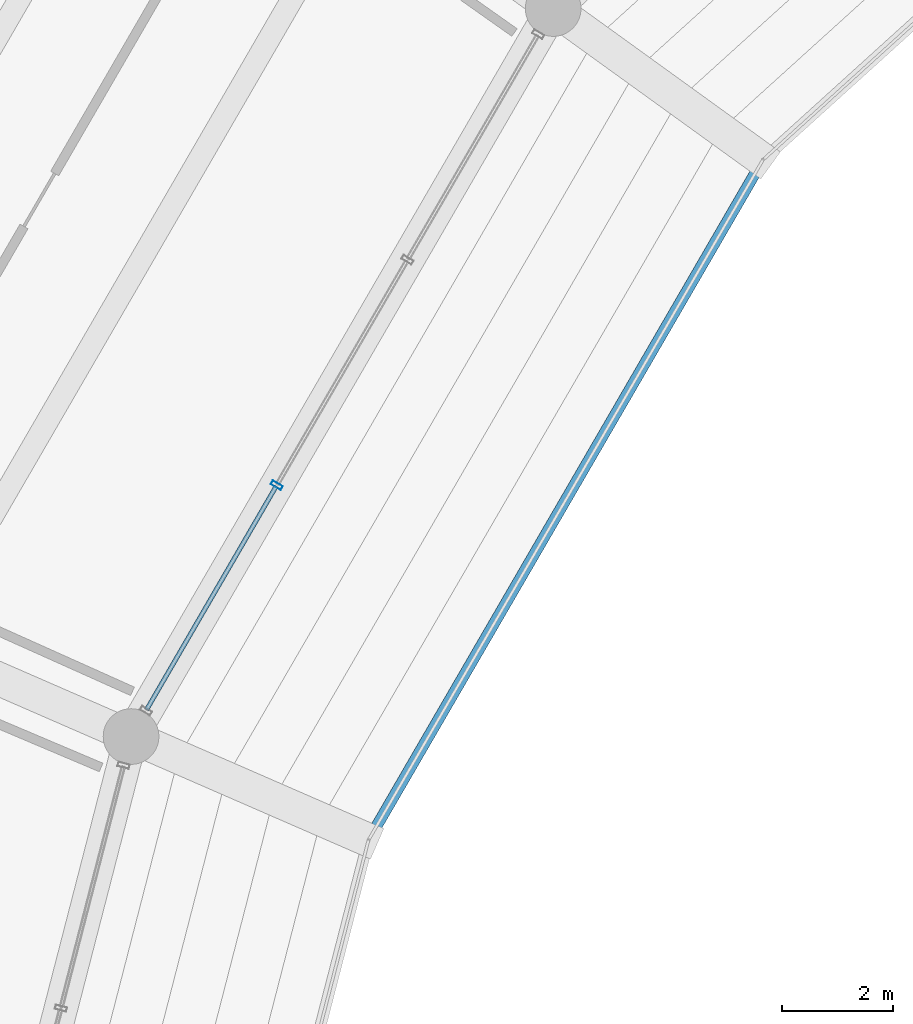
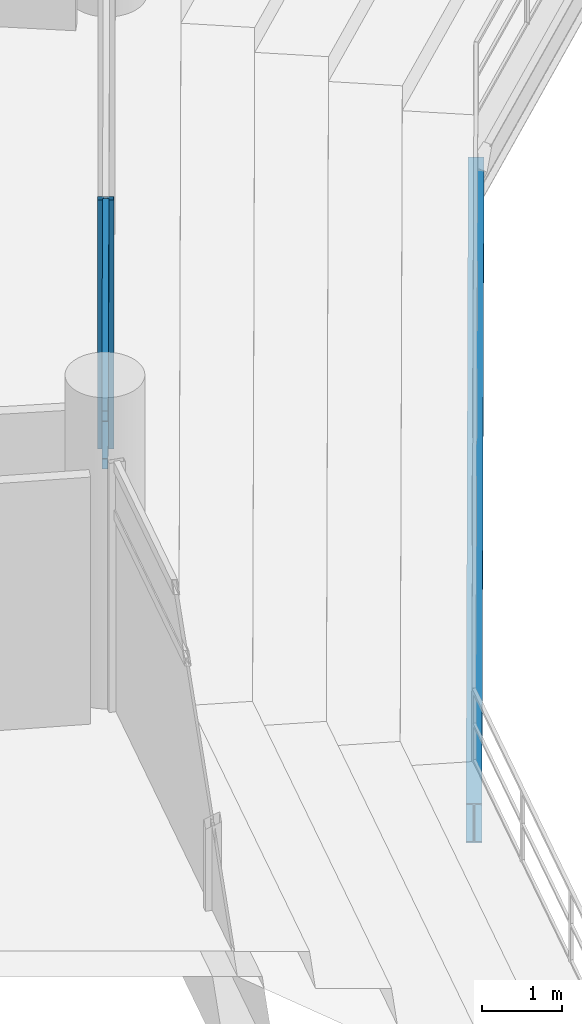
# One storey, part 46 of 171: 3 members, 1 beam, 1 element without a shape of its own.
"""IFC4 building model written with IfcOpenShell, lengths in metres."""

from ifc_helpers import new_model, si_unit, direction, frame, origin, origin_2d, place, context, subcontext, project, spatial, hollow_rectangle, i_section, extrude, material, layer, layer_set, material_profile, profile_set, type_object, element, aggregate, save


model = new_model("IFC4")

# Units and contexts
model_context = context("Model", 3, precision=1e-05, world=origin(), true_north=direction((0.0, 1.0)))
body_context = subcontext(model_context, "Body", "Model", "MODEL_VIEW")
ifc_project = project(units=[si_unit("LENGTHUNIT", "METRE"), si_unit("AREAUNIT", "SQUARE_METRE"), si_unit("VOLUMEUNIT", "CUBIC_METRE"), si_unit("PLANEANGLEUNIT", "RADIAN"), si_unit("MASSUNIT", "GRAM", prefix="KILO")], contexts=[model_context])

# Site, building, storey
site_placement = place(None, origin())
site = spatial("IfcSite", under=ifc_project, at=site_placement, CompositionType="ELEMENT")
building_placement = place(site_placement, origin())
building = spatial("IfcBuilding", under=site, at=building_placement, Name="Kazemori Nagisa Stadium", CompositionType="ELEMENT")
storey_placement = place(building_placement, frame((0.0, 0.0, 15.639892578125)))
storey = spatial("IfcBuildingStorey", under=building, at=storey_placement, Name="L03", CompositionType="ELEMENT", Elevation=15.639892578125)

# Beam
ifc_material_1 = material(Name="Steel SN490B", Category="steel")
ifc_material_profile_1 = material_profile(ifc_material_1, i_section(OverallWidth=0.199951171875, OverallDepth=0.60009765625, WebThickness=0.010986328125, FlangeThickness=0.01708984375, FilletRadius=0.012939453125, at=origin_2d()), Name="H-600x200x11x17")
ifc_profile_set_1 = profile_set([ifc_material_profile_1], Name="Steel SN490B")
beam_type = type_object("IfcBeamType", Name="Beam_BS-H600", PredefinedType="SPANDREL", material=ifc_profile_set_1)
beam_placement = place(storey_placement, frame((69.466064453125, 140.647216796875, -2.46484375), z_axis=(-0.501617986133, -0.865089241632, 0.0), x_axis=(0.865089241632, -0.501617986133, 0.0)))
element("IfcBeam", 1, at=beam_placement, inside=storey, type_object=beam_type, Name="Club tier front edge beam 12", PredefinedType="SPANDREL", context=body_context, shape_type="SweptSolid", body=[
    extrude(i_section(OverallWidth=0.199951171875, OverallDepth=0.60009765625, WebThickness=0.010986328125, FlangeThickness=0.01708984375, FilletRadius=0.012939453125, at=origin_2d()), origin(), (0.0, 0.0, 1.0), 14.125732421875),
])

# Curtain wall, members
ifc_material_2 = material(Name="Anodised aluminium 6063-T5", Category="aluminium")
ifc_layer = layer(ifc_material_2, 0.2099609375, Name="Anodised aluminium 6063-T5", Category="aluminium")
ifc_layer_set = layer_set([ifc_layer], Name="Anodised aluminium 6063-T5")
curtain_wall_type = type_object("IfcCurtainWallType", Name="CW_L03B_71", PredefinedType="USERDEFINED", material=ifc_layer_set)
curtain_wall_placement = place(storey_placement, origin())
curtain_wall = element("IfcCurtainWall", 2, at=curtain_wall_placement, inside=storey, type_object=curtain_wall_type, Name="Unitised curtain wall CW-L03B-71 L03", ObjectType="UNITISED CURTAIN WALL", PredefinedType="USERDEFINED")
ifc_material_3 = material(Name="Aluminium 6063-T5 anodised", Category="aluminium")
ifc_material_profile_2 = material_profile(ifc_material_3, hollow_rectangle(XDim=0.080078125, YDim=0.2099609375, WallThickness=0.0048828125, at=origin_2d()), Name="ALU-MULL-80x210x5")
ifc_profile_set_2 = profile_set([ifc_material_profile_2], Name="Aluminium 6063-T5 anodised")
member_type_1 = type_object("IfcMemberType", Name="Mullion_M02", PredefinedType="MULLION", material=ifc_profile_set_2)
member_1_placement = place(storey_placement, frame((60.731689453125, 134.801513671875, 0.0), z_axis=(0.0, 0.0, 1.0), x_axis=(-0.501611590054, -0.865092950337, 0.0)))
member_1 = element("IfcMember", 3, at=member_1_placement, type_object=member_type_1, Name="Curtain wall mullion CW-L03B-71-M3", PredefinedType="MULLION", context=body_context, shape_type="SweptSolid", body=[
    extrude(hollow_rectangle(XDim=0.080078125, YDim=0.2099609375, WallThickness=0.0048828125, at=origin_2d()), origin(), (0.0, 0.0, 1.0), 3.81005859375),
])
ifc_material_profile_3 = material_profile(ifc_material_3, hollow_rectangle(XDim=0.080078125, YDim=0.159912109375, WallThickness=0.00390625, at=origin_2d()), Name="ALU-TRAN-80x160x4")
ifc_profile_set_3 = profile_set([ifc_material_profile_3], Name="Aluminium 6063-T5 anodised")
member_type_2 = type_object("IfcMemberType", Name="Transom_T02", PredefinedType="USERDEFINED", material=ifc_profile_set_3)
member_2_placement = place(storey_placement, frame((60.721435546875, 134.7841796875, 3.010009765625), z_axis=(-0.501610282552, -0.865093708472, 0.0), x_axis=(0.865093708472, -0.501610282552, 0.0)))
member_2 = element("IfcMember", 4, at=member_2_placement, type_object=member_type_2, Name="Curtain wall transom CW-L03B-71-T3-mid", ObjectType="TRANSOM", PredefinedType="USERDEFINED", context=body_context, shape_type="SweptSolid", body=[
    extrude(hollow_rectangle(XDim=0.080078125, YDim=0.159912109375, WallThickness=0.00390625, at=origin_2d()), origin(), (0.0, 0.0, 1.0), 4.643310546875),
])
member_3_placement = place(storey_placement, frame((60.721435546875, 134.7841796875, 3.739990234375), z_axis=(-0.501610282552, -0.865093708472, 0.0), x_axis=(0.865093708472, -0.501610282552, 0.0)))
member_3 = element("IfcMember", 5, at=member_3_placement, type_object=member_type_2, Name="Curtain wall transom CW-L03B-71-T3-head", ObjectType="TRANSOM", PredefinedType="USERDEFINED", context=body_context, shape_type="SweptSolid", body=[
    extrude(hollow_rectangle(XDim=0.080078125, YDim=0.159912109375, WallThickness=0.00390625, at=origin_2d()), origin(), (0.0, 0.0, 1.0), 4.643310546875),
])
aggregate(curtain_wall, [member_1, member_2, member_3])

save(model, "model.ifc")
